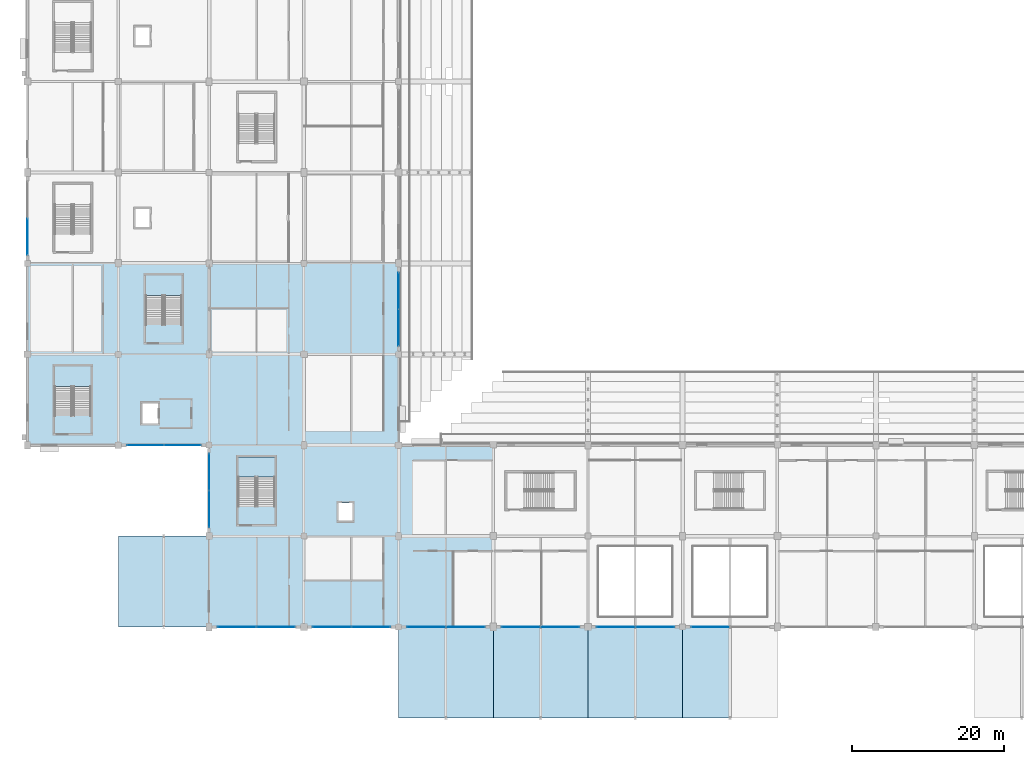
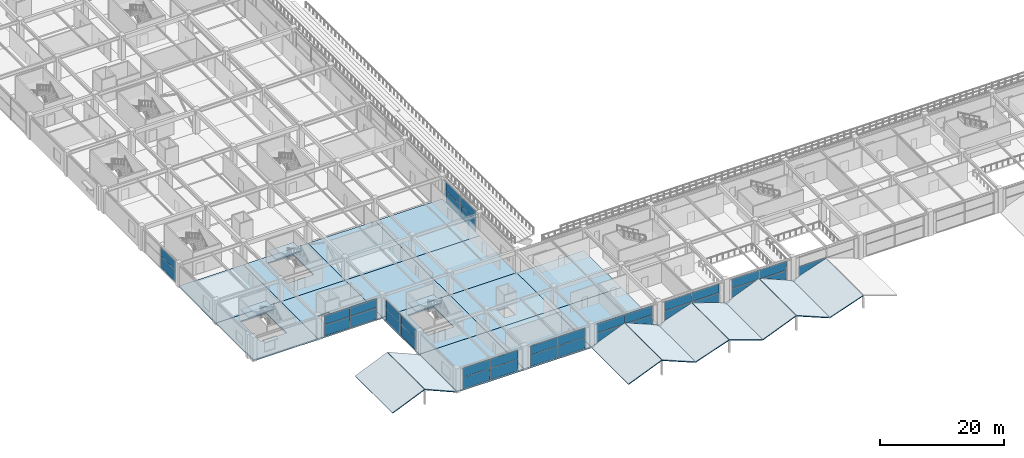
# One storey, part 65 of 134: 35 plates, 26 slabs, 13 elements without a shape of their own.
"""IFC4 building model written with IfcOpenShell, lengths in metres."""

from ifc_helpers import new_model, si_unit, direction, frame, origin, origin_2d, place, context, subcontext, project, spatial, polyline, rectangle, outline, extrude, material, layer, layer_set, type_object, element, aggregate, save


model = new_model("IFC4")

# Units and contexts
model_context = context("Model", 3, precision=1e-05, world=origin(), true_north=direction((0.0, 1.0)))
body_context = subcontext(model_context, "Body", "Model", "MODEL_VIEW")
ifc_project = project(units=[si_unit("LENGTHUNIT", "METRE"), si_unit("AREAUNIT", "SQUARE_METRE"), si_unit("VOLUMEUNIT", "CUBIC_METRE"), si_unit("PLANEANGLEUNIT", "RADIAN"), si_unit("MASSUNIT", "GRAM", prefix="KILO")], contexts=[model_context])

# Site, building, storey
site_placement = place(None, origin())
site = spatial("IfcSite", under=ifc_project, at=site_placement, CompositionType="ELEMENT")
building_placement = place(site_placement, origin())
building = spatial("IfcBuilding", under=site, at=building_placement, Name="Kazenohara Klinker Stadium", CompositionType="ELEMENT")
storey_placement = place(building_placement, frame((0.0, 0.0, 5.39990234375)))
storey = spatial("IfcBuildingStorey", under=building, at=storey_placement, Name="L01", CompositionType="ELEMENT", Elevation=5.39990234375)

# Curtain wall, plates
ifc_material_1 = material(Name="Anodised aluminium and triple glazing", Category="aluminium")
ifc_layer_1 = layer(ifc_material_1, 0.18994140625)
ifc_layer_set_1 = layer_set([ifc_layer_1], Name="Anodised aluminium and triple glazing")
curtain_wall_type_1 = type_object("IfcCurtainWallType", Name="CW-SYS-05", PredefinedType="USERDEFINED", material=ifc_layer_set_1)
curtain_wall_1_placement = place(storey_placement, origin())
curtain_wall_1 = element("IfcCurtainWall", 1, at=curtain_wall_1_placement, inside=storey, type_object=curtain_wall_type_1, Name="Unitised facade curtain wall CW05 L01 X1-3", ObjectType="UNITISED CURTAIN WALL", PredefinedType="USERDEFINED")
ifc_material_2 = material(Name="Low-e laminated triple glazing", Category="glass")
ifc_layer_2 = layer(ifc_material_2, 0.035888671875)
ifc_layer_set_2 = layer_set([ifc_layer_2], Name="Low-e laminated triple glazing")
plate_type_1 = type_object("IfcPlateType", Name="CW-PNL-36", PredefinedType="CURTAIN_PANEL", material=ifc_layer_set_2)
plate_1_placement = place(storey_placement, frame((15.580810546875, 36.0, 0.065185546875), z_axis=(0.0, 0.0, 1.0), x_axis=(1.0, 0.0, 0.0)))
plate_1 = element("IfcPlate", 2, at=plate_1_placement, type_object=plate_type_1, Name="CW05 panel 1.1", PredefinedType="CURTAIN_PANEL", context=body_context, shape_type="SweptSolid", body=[
    extrude(rectangle(XDim=4.823486328125, YDim=0.035888671875, at=origin_2d()), origin(), (0.0, 0.0, 1.0), 2.18505859375),
])
plate_2_placement = place(storey_placement, frame((15.580810546875, 36.0, 2.315185546875), z_axis=(0.0, 0.0, 1.0), x_axis=(1.0, 0.0, 0.0)))
plate_2 = element("IfcPlate", 3, at=plate_2_placement, type_object=plate_type_1, Name="CW05 panel 1.2", PredefinedType="CURTAIN_PANEL", context=body_context, shape_type="SweptSolid", body=[
    extrude(rectangle(XDim=4.823486328125, YDim=0.035888671875, at=origin_2d()), origin(), (0.0, 0.0, 1.0), 1.77001953125),
])
plate_3_placement = place(storey_placement, frame((20.46923828125, 36.0, 0.065185546875), z_axis=(0.0, 0.0, 1.0), x_axis=(1.0, 0.0, 0.0)))
plate_3 = element("IfcPlate", 4, at=plate_3_placement, type_object=plate_type_1, Name="CW05 panel 2.1", PredefinedType="CURTAIN_PANEL", context=body_context, shape_type="SweptSolid", body=[
    extrude(rectangle(XDim=4.823486328125, YDim=0.035888671875, at=origin_2d()), origin(), (0.0, 0.0, 1.0), 2.18505859375),
])
plate_4_placement = place(storey_placement, frame((20.46923828125, 36.0, 2.315185546875), z_axis=(0.0, 0.0, 1.0), x_axis=(1.0, 0.0, 0.0)))
plate_4 = element("IfcPlate", 5, at=plate_4_placement, type_object=plate_type_1, Name="CW05 panel 2.2", PredefinedType="CURTAIN_PANEL", context=body_context, shape_type="SweptSolid", body=[
    extrude(rectangle(XDim=4.823486328125, YDim=0.035888671875, at=origin_2d()), origin(), (0.0, 0.0, 1.0), 1.77001953125),
])
aggregate(curtain_wall_1, [plate_1, plate_2, plate_3, plate_4])

ifc_layer_3 = layer(ifc_material_1, 0.179931640625)
ifc_layer_set_3 = layer_set([ifc_layer_3], Name="Anodised aluminium and triple glazing")
curtain_wall_type_2 = type_object("IfcCurtainWallType", Name="CW-SYS-02", PredefinedType="USERDEFINED", material=ifc_layer_set_3)
curtain_wall_2_placement = place(storey_placement, origin())
curtain_wall_2 = element("IfcCurtainWall", 6, at=curtain_wall_2_placement, inside=storey, type_object=curtain_wall_type_2, Name="Unitised facade curtain wall CW02 L01 Y2-2", ObjectType="UNITISED CURTAIN WALL", PredefinedType="USERDEFINED")
plate_5_placement = place(storey_placement, frame((24.0, 27.580810546875, 0.065185546875), z_axis=(0.0, 0.0, 1.0), x_axis=(0.0, 1.0, 0.0)))
plate_5 = element("IfcPlate", 7, at=plate_5_placement, type_object=plate_type_1, Name="CW02 panel 1.1", PredefinedType="CURTAIN_PANEL", context=body_context, shape_type="SweptSolid", body=[
    extrude(rectangle(XDim=4.823486328125, YDim=0.035888671875, at=origin_2d()), origin(), (0.0, 0.0, 1.0), 2.18505859375),
])
plate_6_placement = place(storey_placement, frame((24.0, 27.580810546875, 2.315185546875), z_axis=(0.0, 0.0, 1.0), x_axis=(0.0, 1.0, 0.0)))
plate_6 = element("IfcPlate", 8, at=plate_6_placement, type_object=plate_type_1, Name="CW02 panel 1.2", PredefinedType="CURTAIN_PANEL", context=body_context, shape_type="SweptSolid", body=[
    extrude(rectangle(XDim=4.823486328125, YDim=0.035888671875, at=origin_2d()), origin(), (0.0, 0.0, 1.0), 1.77001953125),
])
plate_7_placement = place(storey_placement, frame((24.0, 32.46923828125, 0.065185546875), z_axis=(0.0, 0.0, 1.0), x_axis=(0.0, 1.0, 0.0)))
plate_7 = element("IfcPlate", 9, at=plate_7_placement, type_object=plate_type_1, Name="CW02 panel 2.1", PredefinedType="CURTAIN_PANEL", context=body_context, shape_type="SweptSolid", body=[
    extrude(rectangle(XDim=4.823486328125, YDim=0.035888671875, at=origin_2d()), origin(), (0.0, 0.0, 1.0), 2.18505859375),
])
plate_8_placement = place(storey_placement, frame((24.0, 32.46923828125, 2.315185546875), z_axis=(0.0, 0.0, 1.0), x_axis=(0.0, 1.0, 0.0)))
plate_8 = element("IfcPlate", 10, at=plate_8_placement, type_object=plate_type_1, Name="CW02 panel 2.2", PredefinedType="CURTAIN_PANEL", context=body_context, shape_type="SweptSolid", body=[
    extrude(rectangle(XDim=4.823486328125, YDim=0.035888671875, at=origin_2d()), origin(), (0.0, 0.0, 1.0), 1.77001953125),
])
aggregate(curtain_wall_2, [plate_5, plate_6, plate_7, plate_8])

ifc_layer_4 = layer(ifc_material_1, 0.169921875)
ifc_layer_set_4 = layer_set([ifc_layer_4], Name="Anodised aluminium and triple glazing")
curtain_wall_type_3 = type_object("IfcCurtainWallType", Name="CW-SYS-04", PredefinedType="USERDEFINED", material=ifc_layer_set_4)
curtain_wall_3_placement = place(storey_placement, origin())
curtain_wall_3 = element("IfcCurtainWall", 11, at=curtain_wall_3_placement, inside=storey, type_object=curtain_wall_type_3, Name="Unitised facade curtain wall CW04 L01 Y4-4", ObjectType="UNITISED CURTAIN WALL", PredefinedType="USERDEFINED")
plate_9_placement = place(storey_placement, frame((49.0, 51.518310546875, 0.065185546875), z_axis=(0.0, 0.0, 1.0), x_axis=(0.0, 1.0, 0.0)))
plate_9 = element("IfcPlate", 12, at=plate_9_placement, type_object=plate_type_1, Name="CW04 panel 1.1", PredefinedType="CURTAIN_PANEL", context=body_context, shape_type="SweptSolid", body=[
    extrude(rectangle(XDim=4.798583984375, YDim=0.035888671875, at=origin_2d()), origin(), (0.0, 0.0, 1.0), 2.18505859375),
])
plate_10_placement = place(storey_placement, frame((49.0, 51.518310546875, 2.315185546875), z_axis=(0.0, 0.0, 1.0), x_axis=(0.0, 1.0, 0.0)))
plate_10 = element("IfcPlate", 13, at=plate_10_placement, type_object=plate_type_1, Name="CW04 panel 1.2", PredefinedType="CURTAIN_PANEL", context=body_context, shape_type="SweptSolid", body=[
    extrude(rectangle(XDim=4.798583984375, YDim=0.035888671875, at=origin_2d()), origin(), (0.0, 0.0, 1.0), 1.77001953125),
])
plate_11_placement = place(storey_placement, frame((49.0, 56.3818359375, 0.065185546875), z_axis=(0.0, 0.0, 1.0), x_axis=(0.0, 1.0, 0.0)))
plate_11 = element("IfcPlate", 14, at=plate_11_placement, type_object=plate_type_1, Name="CW04 panel 2.1", PredefinedType="CURTAIN_PANEL", context=body_context, shape_type="SweptSolid", body=[
    extrude(rectangle(XDim=4.798583984375, YDim=0.035888671875, at=origin_2d()), origin(), (0.0, 0.0, 1.0), 2.18505859375),
])
plate_12_placement = place(storey_placement, frame((49.0, 56.3818359375, 2.315185546875), z_axis=(0.0, 0.0, 1.0), x_axis=(0.0, 1.0, 0.0)))
plate_12 = element("IfcPlate", 15, at=plate_12_placement, type_object=plate_type_1, Name="CW04 panel 2.2", PredefinedType="CURTAIN_PANEL", context=body_context, shape_type="SweptSolid", body=[
    extrude(rectangle(XDim=4.798583984375, YDim=0.035888671875, at=origin_2d()), origin(), (0.0, 0.0, 1.0), 1.77001953125),
])
aggregate(curtain_wall_3, [plate_9, plate_10, plate_11, plate_12])

ifc_layer_5 = layer(ifc_material_1, 0.199951171875)
ifc_layer_set_5 = layer_set([ifc_layer_5], Name="Anodised aluminium and triple glazing")
curtain_wall_type_4 = type_object("IfcCurtainWallType", Name="CW-SYS-03", PredefinedType="USERDEFINED", material=ifc_layer_set_5)
curtain_wall_4_placement = place(storey_placement, origin())
curtain_wall_4 = element("IfcCurtainWall", 16, at=curtain_wall_4_placement, inside=storey, type_object=curtain_wall_type_4, Name="Unitised facade curtain wall CW03 L01 X4-1", ObjectType="UNITISED CURTAIN WALL", PredefinedType="USERDEFINED")
plate_13_placement = place(storey_placement, frame((52.668212890625, 12.0, 0.065185546875), z_axis=(0.0, 0.0, 1.0), x_axis=(1.0, 0.0, 0.0)))
plate_13 = element("IfcPlate", 17, at=plate_13_placement, type_object=plate_type_1, Name="CW03 panel 1.1", PredefinedType="CURTAIN_PANEL", context=body_context, shape_type="SweptSolid", body=[
    extrude(rectangle(XDim=5.098388671875, YDim=0.035888671875, at=origin_2d()), origin(), (0.0, 0.0, 1.0), 2.21240234375),
])
plate_14_placement = place(storey_placement, frame((52.668212890625, 12.0, 2.342529296875), z_axis=(0.0, 0.0, 1.0), x_axis=(1.0, 0.0, 0.0)))
plate_14 = element("IfcPlate", 18, at=plate_14_placement, type_object=plate_type_1, Name="CW03 panel 1.2", PredefinedType="CURTAIN_PANEL", context=body_context, shape_type="SweptSolid", body=[
    extrude(rectangle(XDim=5.098388671875, YDim=0.035888671875, at=origin_2d()), origin(), (0.0, 0.0, 1.0), 1.79248046875),
])
plate_15_placement = place(storey_placement, frame((57.831787109375, 12.0, 0.065185546875), z_axis=(0.0, 0.0, 1.0), x_axis=(1.0, 0.0, 0.0)))
plate_15 = element("IfcPlate", 19, at=plate_15_placement, type_object=plate_type_1, Name="CW03 panel 2.1", PredefinedType="CURTAIN_PANEL", context=body_context, shape_type="SweptSolid", body=[
    extrude(rectangle(XDim=5.098388671875, YDim=0.035888671875, at=origin_2d()), origin(), (0.0, 0.0, 1.0), 2.21240234375),
])
plate_16_placement = place(storey_placement, frame((57.831787109375, 12.0, 2.342529296875), z_axis=(0.0, 0.0, 1.0), x_axis=(1.0, 0.0, 0.0)))
plate_16 = element("IfcPlate", 20, at=plate_16_placement, type_object=plate_type_1, Name="CW03 panel 2.2", PredefinedType="CURTAIN_PANEL", context=body_context, shape_type="SweptSolid", body=[
    extrude(rectangle(XDim=5.098388671875, YDim=0.035888671875, at=origin_2d()), origin(), (0.0, 0.0, 1.0), 1.79248046875),
])
aggregate(curtain_wall_4, [plate_13, plate_14, plate_15, plate_16])

curtain_wall_5_placement = place(storey_placement, origin())
curtain_wall_5 = element("IfcCurtainWall", 21, at=curtain_wall_5_placement, inside=storey, type_object=curtain_wall_type_1, Name="Unitised facade curtain wall CW05 L01 X5-1", ObjectType="UNITISED CURTAIN WALL", PredefinedType="USERDEFINED")
plate_17_placement = place(storey_placement, frame((65.15576171875, 12.0, 0.065185546875), z_axis=(0.0, 0.0, 1.0), x_axis=(1.0, 0.0, 0.0)))
plate_17 = element("IfcPlate", 22, at=plate_17_placement, type_object=plate_type_1, Name="CW05 panel 1.1", PredefinedType="CURTAIN_PANEL", context=body_context, shape_type="SweptSolid", body=[
    extrude(rectangle(XDim=5.073486328125, YDim=0.035888671875, at=origin_2d()), origin(), (0.0, 0.0, 1.0), 2.18505859375),
])
plate_18_placement = place(storey_placement, frame((65.15576171875, 12.0, 2.315185546875), z_axis=(0.0, 0.0, 1.0), x_axis=(1.0, 0.0, 0.0)))
plate_18 = element("IfcPlate", 23, at=plate_18_placement, type_object=plate_type_1, Name="CW05 panel 1.2", PredefinedType="CURTAIN_PANEL", context=body_context, shape_type="SweptSolid", body=[
    extrude(rectangle(XDim=5.073486328125, YDim=0.035888671875, at=origin_2d()), origin(), (0.0, 0.0, 1.0), 1.77001953125),
])
plate_19_placement = place(storey_placement, frame((70.294189453125, 12.0, 0.065185546875), z_axis=(0.0, 0.0, 1.0), x_axis=(1.0, 0.0, 0.0)))
plate_19 = element("IfcPlate", 24, at=plate_19_placement, type_object=plate_type_1, Name="CW05 panel 2.1", PredefinedType="CURTAIN_PANEL", context=body_context, shape_type="SweptSolid", body=[
    extrude(rectangle(XDim=5.073486328125, YDim=0.035888671875, at=origin_2d()), origin(), (0.0, 0.0, 1.0), 2.18505859375),
])
plate_20_placement = place(storey_placement, frame((70.294189453125, 12.0, 2.315185546875), z_axis=(0.0, 0.0, 1.0), x_axis=(1.0, 0.0, 0.0)))
plate_20 = element("IfcPlate", 25, at=plate_20_placement, type_object=plate_type_1, Name="CW05 panel 2.2", PredefinedType="CURTAIN_PANEL", context=body_context, shape_type="SweptSolid", body=[
    extrude(rectangle(XDim=5.073486328125, YDim=0.035888671875, at=origin_2d()), origin(), (0.0, 0.0, 1.0), 1.77001953125),
])
aggregate(curtain_wall_5, [plate_17, plate_18, plate_19, plate_20])

curtain_wall_6_placement = place(storey_placement, origin())
curtain_wall_6 = element("IfcCurtainWall", 26, at=curtain_wall_6_placement, inside=storey, type_object=curtain_wall_type_2, Name="Unitised facade curtain wall CW02 L01 X6-1", ObjectType="UNITISED CURTAIN WALL", PredefinedType="USERDEFINED")
plate_21_placement = place(storey_placement, frame((77.705810546875, 12.0, 0.065185546875), z_axis=(0.0, 0.0, 1.0), x_axis=(1.0, 0.0, 0.0)))
plate_21 = element("IfcPlate", 27, at=plate_21_placement, type_object=plate_type_1, Name="CW02 panel 1.1", PredefinedType="CURTAIN_PANEL", context=body_context, shape_type="SweptSolid", body=[
    extrude(rectangle(XDim=5.073486328125, YDim=0.035888671875, at=origin_2d()), origin(), (0.0, 0.0, 1.0), 2.21240234375),
])
plate_22_placement = place(storey_placement, frame((77.705810546875, 12.0, 2.342529296875), z_axis=(0.0, 0.0, 1.0), x_axis=(1.0, 0.0, 0.0)))
plate_22 = element("IfcPlate", 28, at=plate_22_placement, type_object=plate_type_1, Name="CW02 panel 1.2", PredefinedType="CURTAIN_PANEL", context=body_context, shape_type="SweptSolid", body=[
    extrude(rectangle(XDim=5.073486328125, YDim=0.035888671875, at=origin_2d()), origin(), (0.0, 0.0, 1.0), 1.79248046875),
])
plate_23_placement = place(storey_placement, frame((82.84423828125, 12.0, 0.065185546875), z_axis=(0.0, 0.0, 1.0), x_axis=(1.0, 0.0, 0.0)))
plate_23 = element("IfcPlate", 29, at=plate_23_placement, type_object=plate_type_1, Name="CW02 panel 2.1", PredefinedType="CURTAIN_PANEL", context=body_context, shape_type="SweptSolid", body=[
    extrude(rectangle(XDim=5.073486328125, YDim=0.035888671875, at=origin_2d()), origin(), (0.0, 0.0, 1.0), 2.21240234375),
])
plate_24_placement = place(storey_placement, frame((82.84423828125, 12.0, 2.342529296875), z_axis=(0.0, 0.0, 1.0), x_axis=(1.0, 0.0, 0.0)))
plate_24 = element("IfcPlate", 30, at=plate_24_placement, type_object=plate_type_1, Name="CW02 panel 2.2", PredefinedType="CURTAIN_PANEL", context=body_context, shape_type="SweptSolid", body=[
    extrude(rectangle(XDim=5.073486328125, YDim=0.035888671875, at=origin_2d()), origin(), (0.0, 0.0, 1.0), 1.79248046875),
])
aggregate(curtain_wall_6, [plate_21, plate_22, plate_23, plate_24])

# Curtain wall, plate
curtain_wall_7_placement = place(storey_placement, origin())
curtain_wall_7 = element("IfcCurtainWall", 31, at=curtain_wall_7_placement, inside=storey, type_object=curtain_wall_type_3, Name="Unitised facade curtain wall CW04 L01 X7-1", ObjectType="UNITISED CURTAIN WALL", PredefinedType="USERDEFINED")
plate_25_placement = place(storey_placement, frame((90.168212890625, 12.0, 0.065185546875), z_axis=(0.0, 0.0, 1.0), x_axis=(1.0, 0.0, 0.0)))
plate_25 = element("IfcPlate", 32, at=plate_25_placement, type_object=plate_type_1, Name="CW04 panel 1.1", PredefinedType="CURTAIN_PANEL", context=body_context, shape_type="SweptSolid", body=[
    extrude(rectangle(XDim=5.098388671875, YDim=0.035888671875, at=origin_2d()), origin(), (0.0, 0.0, 1.0), 2.18505859375),
])
aggregate(curtain_wall_7, [plate_25])

# Curtain wall, plates
curtain_wall_8_placement = place(storey_placement, origin())
curtain_wall_8 = element("IfcCurtainWall", 33, at=curtain_wall_8_placement, inside=storey, type_object=curtain_wall_type_2, Name="Unitised facade curtain wall CW02 L01 Y0-5", ObjectType="UNITISED CURTAIN WALL", PredefinedType="USERDEFINED")
ifc_layer_6 = layer(ifc_material_2, 0.0439453125)
ifc_layer_set_6 = layer_set([ifc_layer_6], Name="Low-e laminated triple glazing")
plate_type_2 = type_object("IfcPlateType", Name="CW-PNL-44", PredefinedType="CURTAIN_PANEL", material=ifc_layer_set_6)
plate_26_placement = place(storey_placement, frame((0.0, 63.520751953125, 0.0751953125), z_axis=(0.0, 0.0, 1.0), x_axis=(0.0, 1.0, 0.0)))
plate_26 = element("IfcPlate", 34, at=plate_26_placement, type_object=plate_type_2, Name="CW02 panel 1.1", PredefinedType="CURTAIN_PANEL", context=body_context, shape_type="SweptSolid", body=[
    extrude(rectangle(XDim=4.783447265625, YDim=0.0439453125, at=origin_2d()), origin(), (0.0, 0.0, 1.0), 2.197509765625),
])
plate_27_placement = place(storey_placement, frame((0.0, 63.520751953125, 2.34765625), z_axis=(0.0, 0.0, 1.0), x_axis=(0.0, 1.0, 0.0)))
plate_27 = element("IfcPlate", 35, at=plate_27_placement, type_object=plate_type_2, Name="CW02 panel 1.2", PredefinedType="CURTAIN_PANEL", context=body_context, shape_type="SweptSolid", body=[
    extrude(rectangle(XDim=4.783447265625, YDim=0.0439453125, at=origin_2d()), origin(), (0.0, 0.0, 1.0), 1.777587890625),
])
aggregate(curtain_wall_8, [plate_26, plate_27])

ifc_layer_7 = layer(ifc_material_1, 0.159912109375)
ifc_layer_set_7 = layer_set([ifc_layer_7], Name="Anodised aluminium and triple glazing")
curtain_wall_type_5 = type_object("IfcCurtainWallType", Name="CW-SYS-01", PredefinedType="USERDEFINED", material=ifc_layer_set_7)
curtain_wall_9_placement = place(storey_placement, origin())
curtain_wall_9 = element("IfcCurtainWall", 36, at=curtain_wall_9_placement, inside=storey, type_object=curtain_wall_type_5, Name="Unitised facade curtain wall CW01 L01 X2-1", ObjectType="UNITISED CURTAIN WALL", PredefinedType="USERDEFINED")
plate_28_placement = place(storey_placement, frame((27.658203125, 12.0, 0.0751953125), z_axis=(0.0, 0.0, 1.0), x_axis=(1.0, 0.0, 0.0)))
plate_28 = element("IfcPlate", 37, at=plate_28_placement, type_object=plate_type_2, Name="CW01 panel 1.1", PredefinedType="CURTAIN_PANEL", context=body_context, shape_type="SweptSolid", body=[
    extrude(rectangle(XDim=5.05859375, YDim=0.0439453125, at=origin_2d()), origin(), (0.0, 0.0, 1.0), 2.197509765625),
])
plate_29_placement = place(storey_placement, frame((27.658203125, 12.0, 2.34765625), z_axis=(0.0, 0.0, 1.0), x_axis=(1.0, 0.0, 0.0)))
plate_29 = element("IfcPlate", 38, at=plate_29_placement, type_object=plate_type_2, Name="CW01 panel 1.2", PredefinedType="CURTAIN_PANEL", context=body_context, shape_type="SweptSolid", body=[
    extrude(rectangle(XDim=5.05859375, YDim=0.0439453125, at=origin_2d()), origin(), (0.0, 0.0, 1.0), 1.777587890625),
])
plate_30_placement = place(storey_placement, frame((32.791748046875, 12.0, 0.0751953125), z_axis=(0.0, 0.0, 1.0), x_axis=(1.0, 0.0, 0.0)))
plate_30 = element("IfcPlate", 39, at=plate_30_placement, type_object=plate_type_2, Name="CW01 panel 2.1", PredefinedType="CURTAIN_PANEL", context=body_context, shape_type="SweptSolid", body=[
    extrude(rectangle(XDim=5.05859375, YDim=0.0439453125, at=origin_2d()), origin(), (0.0, 0.0, 1.0), 2.197509765625),
])
plate_31_placement = place(storey_placement, frame((32.791748046875, 12.0, 2.34765625), z_axis=(0.0, 0.0, 1.0), x_axis=(1.0, 0.0, 0.0)))
plate_31 = element("IfcPlate", 40, at=plate_31_placement, type_object=plate_type_2, Name="CW01 panel 2.2", PredefinedType="CURTAIN_PANEL", context=body_context, shape_type="SweptSolid", body=[
    extrude(rectangle(XDim=5.05859375, YDim=0.0439453125, at=origin_2d()), origin(), (0.0, 0.0, 1.0), 1.777587890625),
])
aggregate(curtain_wall_9, [plate_28, plate_29, plate_30, plate_31])

curtain_wall_10_placement = place(storey_placement, origin())
curtain_wall_10 = element("IfcCurtainWall", 41, at=curtain_wall_10_placement, inside=storey, type_object=curtain_wall_type_4, Name="Unitised facade curtain wall CW03 L01 X3-1", ObjectType="UNITISED CURTAIN WALL", PredefinedType="USERDEFINED")
plate_32_placement = place(storey_placement, frame((40.208251953125, 12.0, 0.0751953125), z_axis=(0.0, 0.0, 1.0), x_axis=(1.0, 0.0, 0.0)))
plate_32 = element("IfcPlate", 42, at=plate_32_placement, type_object=plate_type_2, Name="CW03 panel 1.1", PredefinedType="CURTAIN_PANEL", context=body_context, shape_type="SweptSolid", body=[
    extrude(rectangle(XDim=5.05859375, YDim=0.0439453125, at=origin_2d()), origin(), (0.0, 0.0, 1.0), 2.169921875),
])
plate_33_placement = place(storey_placement, frame((40.208251953125, 12.0, 2.320068359375), z_axis=(0.0, 0.0, 1.0), x_axis=(1.0, 0.0, 0.0)))
plate_33 = element("IfcPlate", 43, at=plate_33_placement, type_object=plate_type_2, Name="CW03 panel 1.2", PredefinedType="CURTAIN_PANEL", context=body_context, shape_type="SweptSolid", body=[
    extrude(rectangle(XDim=5.05859375, YDim=0.0439453125, at=origin_2d()), origin(), (0.0, 0.0, 1.0), 1.7548828125),
])
plate_34_placement = place(storey_placement, frame((45.341796875, 12.0, 0.0751953125), z_axis=(0.0, 0.0, 1.0), x_axis=(1.0, 0.0, 0.0)))
plate_34 = element("IfcPlate", 44, at=plate_34_placement, type_object=plate_type_2, Name="CW03 panel 2.1", PredefinedType="CURTAIN_PANEL", context=body_context, shape_type="SweptSolid", body=[
    extrude(rectangle(XDim=5.05859375, YDim=0.0439453125, at=origin_2d()), origin(), (0.0, 0.0, 1.0), 2.169921875),
])
plate_35_placement = place(storey_placement, frame((45.341796875, 12.0, 2.320068359375), z_axis=(0.0, 0.0, 1.0), x_axis=(1.0, 0.0, 0.0)))
plate_35 = element("IfcPlate", 45, at=plate_35_placement, type_object=plate_type_2, Name="CW03 panel 2.2", PredefinedType="CURTAIN_PANEL", context=body_context, shape_type="SweptSolid", body=[
    extrude(rectangle(XDim=5.05859375, YDim=0.0439453125, at=origin_2d()), origin(), (0.0, 0.0, 1.0), 1.7548828125),
])
aggregate(curtain_wall_10, [plate_32, plate_33, plate_34, plate_35])

# Slabs
ifc_material_3 = material(Name="Concrete C40/50", Category="concrete")
ifc_layer_8 = layer(ifc_material_3, 0.260009765625)
ifc_layer_set_8 = layer_set([ifc_layer_8], Name="Concrete C40/50")
slab_type_1 = type_object("IfcSlabType", Name="SLB-FLR-260", PredefinedType="FLOOR", material=ifc_layer_set_8)
slab_1_placement = place(storey_placement, frame((0.0, 0.0, -0.260009765625)))
element("IfcSlab", 46, at=slab_1_placement, inside=storey, type_object=slab_type_1, Name="Floor slab FS02 L01 1/D", PredefinedType="FLOOR", context=body_context, shape_type="SweptSolid", body=[
    extrude(outline(polyline([(0.0, 36.0), (12.0, 36.0), (12.0, 48.0), (0.0, 48.0), (0.0, 36.0)]), holes=[polyline([(8.39990234375, 39.919921875), (8.39990234375, 46.4599609375), (3.60009765625, 46.4599609375), (3.60009765625, 39.919921875), (8.39990234375, 39.919921875)])]), origin(), (0.0, 0.0, 1.0), 0.260009765625),
])
slab_2_placement = place(storey_placement, frame((0.0, 0.0, -0.260009765625)))
element("IfcSlab", 47, at=slab_2_placement, inside=storey, type_object=slab_type_1, Name="Floor slab FS02 L01 1/E", PredefinedType="FLOOR", context=body_context, shape_type="SweptSolid", body=[
    extrude(outline(polyline([(0.0, 48.0), (12.0, 48.0), (12.0, 60.0), (0.0, 60.0), (0.0, 48.0)])), origin(), (0.0, 0.0, 1.0), 0.260009765625),
])
slab_3_placement = place(storey_placement, frame((0.0, 0.0, -0.260009765625)))
element("IfcSlab", 48, at=slab_3_placement, inside=storey, type_object=slab_type_1, Name="Floor slab FS02 L01 2/D", PredefinedType="FLOOR", context=body_context, shape_type="SweptSolid", body=[
    extrude(outline(polyline([(12.0, 36.0), (24.0, 36.0), (24.0, 48.0), (12.0, 48.0), (12.0, 36.0)]), holes=[polyline([(15.14990234375, 38.85009765625), (17.25, 38.85009765625), (17.25, 41.550048828125), (15.14990234375, 41.550048828125), (15.14990234375, 38.85009765625)])]), origin(), (0.0, 0.0, 1.0), 0.260009765625),
])
slab_4_placement = place(storey_placement, frame((0.0, 0.0, -0.260009765625)))
element("IfcSlab", 49, at=slab_4_placement, inside=storey, type_object=slab_type_1, Name="Floor slab FS02 L01 2/E", PredefinedType="FLOOR", context=body_context, shape_type="SweptSolid", body=[
    extrude(outline(polyline([(12.0, 48.0), (24.0, 48.0), (24.0, 60.0), (12.0, 60.0), (12.0, 48.0)]), holes=[polyline([(20.39990234375, 51.919921875), (20.39990234375, 58.4599609375), (15.60009765625, 58.4599609375), (15.60009765625, 51.919921875), (20.39990234375, 51.919921875)])]), origin(), (0.0, 0.0, 1.0), 0.260009765625),
])
slab_5_placement = place(storey_placement, frame((0.0, 0.0, -0.260009765625)))
element("IfcSlab", 50, at=slab_5_placement, inside=storey, type_object=slab_type_1, Name="Floor slab FS02 L01 3/B", PredefinedType="FLOOR", context=body_context, shape_type="SweptSolid", body=[
    extrude(outline(polyline([(24.0, 12.0), (36.5, 12.0), (36.5, 24.0), (24.0, 24.0), (24.0, 12.0)])), origin(), (0.0, 0.0, 1.0), 0.260009765625),
])
slab_6_placement = place(storey_placement, frame((0.0, 0.0, -0.260009765625)))
element("IfcSlab", 51, at=slab_6_placement, inside=storey, type_object=slab_type_1, Name="Floor slab FS02 L01 3/C", PredefinedType="FLOOR", context=body_context, shape_type="SweptSolid", body=[
    extrude(outline(polyline([(24.0, 24.0), (36.5, 24.0), (36.5, 36.0), (24.0, 36.0), (24.0, 24.0)]), holes=[polyline([(32.679931640625, 27.949951171875), (32.679931640625, 34.4599609375), (27.820068359375, 34.4599609375), (27.820068359375, 27.949951171875), (32.679931640625, 27.949951171875)])]), origin(), (0.0, 0.0, 1.0), 0.260009765625),
])
slab_7_placement = place(storey_placement, frame((0.0, 0.0, -0.260009765625)))
element("IfcSlab", 52, at=slab_7_placement, inside=storey, type_object=slab_type_1, Name="Floor slab FS02 L01 3/D", PredefinedType="FLOOR", context=body_context, shape_type="SweptSolid", body=[
    extrude(outline(polyline([(24.0, 36.0), (36.5, 36.0), (36.5, 48.0), (24.0, 48.0), (24.0, 36.0)])), origin(), (0.0, 0.0, 1.0), 0.260009765625),
])
slab_8_placement = place(storey_placement, frame((0.0, 0.0, -0.260009765625)))
element("IfcSlab", 53, at=slab_8_placement, inside=storey, type_object=slab_type_1, Name="Floor slab FS02 L01 3/E", PredefinedType="FLOOR", context=body_context, shape_type="SweptSolid", body=[
    extrude(outline(polyline([(24.0, 48.0), (36.5, 48.0), (36.5, 60.0), (24.0, 60.0), (24.0, 48.0)])), origin(), (0.0, 0.0, 1.0), 0.260009765625),
])
slab_9_placement = place(storey_placement, frame((0.0, 0.0, -0.260009765625)))
element("IfcSlab", 54, at=slab_9_placement, inside=storey, type_object=slab_type_1, Name="Floor slab FS02 L01 4/B", PredefinedType="FLOOR", context=body_context, shape_type="SweptSolid", body=[
    extrude(outline(polyline([(36.5, 12.0), (49.0, 12.0), (49.0, 24.0), (36.5, 24.0), (36.5, 12.0)])), origin(), (0.0, 0.0, 1.0), 0.260009765625),
])
slab_10_placement = place(storey_placement, frame((0.0, 0.0, -0.260009765625)))
element("IfcSlab", 55, at=slab_10_placement, inside=storey, type_object=slab_type_1, Name="Floor slab FS02 L01 4/C", PredefinedType="FLOOR", context=body_context, shape_type="SweptSolid", body=[
    extrude(outline(polyline([(36.5, 24.0), (49.0, 24.0), (49.0, 36.0), (36.5, 36.0), (36.5, 24.0)]), holes=[polyline([(41.050048828125, 26.0), (42.949951171875, 26.0), (42.949951171875, 28.39990234375), (41.050048828125, 28.39990234375), (41.050048828125, 26.0)])]), origin(), (0.0, 0.0, 1.0), 0.260009765625),
])
slab_11_placement = place(storey_placement, frame((0.0, 0.0, -0.260009765625)))
element("IfcSlab", 56, at=slab_11_placement, inside=storey, type_object=slab_type_1, Name="Floor slab FS02 L01 4/D", PredefinedType="FLOOR", context=body_context, shape_type="SweptSolid", body=[
    extrude(outline(polyline([(36.5, 36.0), (49.0, 36.0), (49.0, 48.0), (36.5, 48.0), (36.5, 36.0)])), origin(), (0.0, 0.0, 1.0), 0.260009765625),
])
slab_12_placement = place(storey_placement, frame((0.0, 0.0, -0.260009765625)))
element("IfcSlab", 57, at=slab_12_placement, inside=storey, type_object=slab_type_1, Name="Floor slab FS02 L01 4/E", PredefinedType="FLOOR", context=body_context, shape_type="SweptSolid", body=[
    extrude(outline(polyline([(36.5, 48.0), (49.0, 48.0), (49.0, 60.0), (36.5, 60.0), (36.5, 48.0)])), origin(), (0.0, 0.0, 1.0), 0.260009765625),
])
slab_13_placement = place(storey_placement, frame((0.0, 0.0, -0.260009765625)))
element("IfcSlab", 58, at=slab_13_placement, inside=storey, type_object=slab_type_1, Name="Floor slab FS02 L01 5/B", PredefinedType="FLOOR", context=body_context, shape_type="SweptSolid", body=[
    extrude(outline(polyline([(49.0, 12.0), (61.5, 12.0), (61.5, 24.0), (49.0, 24.0), (49.0, 12.0)])), origin(), (0.0, 0.0, 1.0), 0.260009765625),
])
slab_14_placement = place(storey_placement, frame((0.0, 0.0, -0.260009765625)))
element("IfcSlab", 59, at=slab_14_placement, inside=storey, type_object=slab_type_1, Name="Floor slab FS02 L01 5/C", PredefinedType="FLOOR", context=body_context, shape_type="SweptSolid", body=[
    extrude(outline(polyline([(49.0, 24.0), (61.5, 24.0), (61.5, 36.0), (49.0, 36.0), (49.0, 24.0)])), origin(), (0.0, 0.0, 1.0), 0.260009765625),
])

# Stair, slab
stair_type_1 = type_object("IfcStairType", Name="STR-DL-2300", PredefinedType="HALF_TURN_STAIR", material=ifc_material_3)
stair_1_placement = place(storey_placement, origin())
stair_1 = element("IfcStair", 60, at=stair_1_placement, inside=storey, type_object=stair_type_1, Name="L01 Enclosed escape stair ST01", PredefinedType="HALF_TURN_STAIR")
ifc_layer_9 = layer(ifc_material_3, 0.199951171875)
ifc_layer_set_9 = layer_set([ifc_layer_9], Name="Concrete C40/50")
slab_type_2 = type_object("IfcSlabType", Name="SLB-LND-200", PredefinedType="LANDING", material=ifc_layer_set_9)
slab_15_placement = place(storey_placement, frame((0.0, 0.0, 2.2001953125)))
slab_15 = element("IfcSlab", 61, at=slab_15_placement, type_object=slab_type_2, Name="ST01 landing 1", PredefinedType="LANDING", context=body_context, shape_type="SweptSolid", body=[
    extrude(outline(polyline([(8.39990234375, 43.760009765625), (8.39990234375, 46.4599609375), (3.60009765625, 46.4599609375), (3.60009765625, 43.760009765625), (8.39990234375, 43.760009765625)])), origin(), (0.0, 0.0, 1.0), 0.199951171875),
])
aggregate(stair_1, [slab_15])

stair_type_2 = type_object("IfcStairType", Name="STR-DL-2330", PredefinedType="HALF_TURN_STAIR", material=ifc_material_3)
stair_2_placement = place(storey_placement, origin())
stair_2 = element("IfcStair", 62, at=stair_2_placement, inside=storey, type_object=stair_type_2, Name="L01 Enclosed escape stair ST07", PredefinedType="HALF_TURN_STAIR")
slab_16_placement = place(storey_placement, frame((0.0, 0.0, 2.2001953125)))
slab_16 = element("IfcSlab", 63, at=slab_16_placement, type_object=slab_type_2, Name="ST07 landing 1", PredefinedType="LANDING", context=body_context, shape_type="SweptSolid", body=[
    extrude(outline(polyline([(32.679931640625, 31.7900390625), (32.679931640625, 34.4599609375), (27.820068359375, 34.4599609375), (27.820068359375, 31.7900390625), (32.679931640625, 31.7900390625)])), origin(), (0.0, 0.0, 1.0), 0.199951171875),
])
aggregate(stair_2, [slab_16])

stair_3_placement = place(storey_placement, origin())
stair_3 = element("IfcStair", 64, at=stair_3_placement, inside=storey, type_object=stair_type_1, Name="L01 Enclosed escape stair ST13", PredefinedType="HALF_TURN_STAIR")
slab_17_placement = place(storey_placement, frame((0.0, 0.0, 2.2001953125)))
slab_17 = element("IfcSlab", 65, at=slab_17_placement, type_object=slab_type_2, Name="ST13 landing 1", PredefinedType="LANDING", context=body_context, shape_type="SweptSolid", body=[
    extrude(outline(polyline([(20.39990234375, 55.760009765625), (20.39990234375, 58.4599609375), (15.60009765625, 58.4599609375), (15.60009765625, 55.760009765625), (20.39990234375, 55.760009765625)])), origin(), (0.0, 0.0, 1.0), 0.199951171875),
])
aggregate(stair_3, [slab_17])

# Slabs
ifc_material_4 = material(Name="Steel S355", Category="steel")
ifc_layer_10 = layer(ifc_material_4, 0.169921875)
ifc_layer_set_10 = layer_set([ifc_layer_10], Name="Steel S355")
slab_type_3 = type_object("IfcSlabType", Name="SLB-ROOF-170", PredefinedType="ROOF", material=ifc_layer_set_10)
for number, where, z_axis, x_axis, name in (
    (66, (12.0, 12.0, -0.079833984375), (-0.39392840207, 0.0, 0.919141128469), (0.919141128469, 0.0, 0.39392840207), "Sloped snow-shedding wing roof RS02 L01 2/B A"),
    (67, (18.050048828125, 12.0, 2.47021484375), (0.39392840207, 0.0, 0.919141128469), (0.919141128469, 0.0, -0.39392840207), "Sloped snow-shedding wing roof RS02 L01 2/B B"),
):
    element("IfcSlab", number, at=place(storey_placement, frame(where, z_axis=z_axis, x_axis=x_axis)), inside=storey, type_object=slab_type_3, Name=name, PredefinedType="ROOF", context=body_context, shape_type="SweptSolid", body=[
        extrude(outline(polyline([(0.0, 0.0), (6.473381494514159, 0.0), (6.473381494514159, 11.999999999999998), (0.0, 11.999999999999998), (0.0, 0.0)])), origin(), (0.0, 0.0, -1.0), 0.169921875),
    ])
for number, where, z_axis, x_axis, name in (
    (68, (49.0, 0.0, -0.079833984375), (-0.380383442935, 0.0, 0.924828868678), (0.924828868678, 0.0, 0.380383442935), "Sloped snow-shedding wing roof RS02 L01 5/A A"),
    (69, (55.300048828125, 0.0, 2.47021484375), (0.380383442935, 0.0, 0.924828868678), (0.924828868678, 0.0, -0.380383442935), "Sloped snow-shedding wing roof RS02 L01 5/A B"),
):
    element("IfcSlab", number, at=place(storey_placement, frame(where, z_axis=z_axis, x_axis=x_axis)), inside=storey, type_object=slab_type_3, Name=name, PredefinedType="ROOF", context=body_context, shape_type="SweptSolid", body=[
        extrude(outline(polyline([(0.0, 0.0), (6.703890181040846, 0.0), (6.703890181040846, 12.0), (0.0, 12.0), (0.0, 0.0)])), origin(), (0.0, 0.0, -1.0), 0.169921875),
    ])
for number, where, z_axis, x_axis, name in (
    (70, (61.5, 0.0, -0.079833984375), (-0.327622925614, 0.0, 0.944808561886), (0.944808561886, 0.0, 0.327622925614), "Sloped snow-shedding wing roof RS02 L01 6/A A"),
    (71, (67.800048828125, 0.0, 2.070068359375), (0.327622925614, 0.0, 0.944808561886), (0.944808561886, 0.0, -0.327622925614), "Sloped snow-shedding wing roof RS02 L01 6/A B"),
):
    element("IfcSlab", number, at=place(storey_placement, frame(where, z_axis=z_axis, x_axis=x_axis)), inside=storey, type_object=slab_type_3, Name=name, PredefinedType="ROOF", context=body_context, shape_type="SweptSolid", body=[
        extrude(outline(polyline([(0.0, 0.0), (6.5621242461032345, 0.0), (6.5621242461032345, 12.0), (0.0, 12.0), (0.0, 0.0)])), origin(), (0.0, 0.0, -1.0), 0.169921875),
    ])
for number, where, z_axis, x_axis, name in (
    (72, (74.0, 0.0, -0.079833984375), (-0.380383442935, 0.0, 0.924828868678), (0.924828868678, 0.0, 0.380383442935), "Sloped snow-shedding wing roof RS02 L01 7/A A"),
    (73, (80.300048828125, 0.0, 2.47021484375), (0.380383442935, 0.0, 0.924828868678), (0.924828868678, 0.0, -0.380383442935), "Sloped snow-shedding wing roof RS02 L01 7/A B"),
):
    element("IfcSlab", number, at=place(storey_placement, frame(where, z_axis=z_axis, x_axis=x_axis)), inside=storey, type_object=slab_type_3, Name=name, PredefinedType="ROOF", context=body_context, shape_type="SweptSolid", body=[
        extrude(outline(polyline([(0.0, 0.0), (6.703890181040846, 0.0), (6.703890181040846, 12.0), (0.0, 12.0), (0.0, 0.0)])), origin(), (0.0, 0.0, -1.0), 0.169921875),
    ])
slab_18_placement = place(storey_placement, frame((86.5, 0.0, -0.079833984375), z_axis=(-0.327622925614, 0.0, 0.944808561886), x_axis=(0.944808561886, 0.0, 0.327622925614)))
element("IfcSlab", 74, at=slab_18_placement, inside=storey, type_object=slab_type_3, Name="Sloped snow-shedding wing roof RS02 L01 8/A A", PredefinedType="ROOF", context=body_context, shape_type="SweptSolid", body=[
    extrude(outline(polyline([(0.0, 0.0), (6.5621242461032345, 0.0), (6.5621242461032345, 12.0), (0.0, 12.0), (0.0, 0.0)])), origin(), (0.0, 0.0, -1.0), 0.169921875),
])

save(model, "model.ifc")
